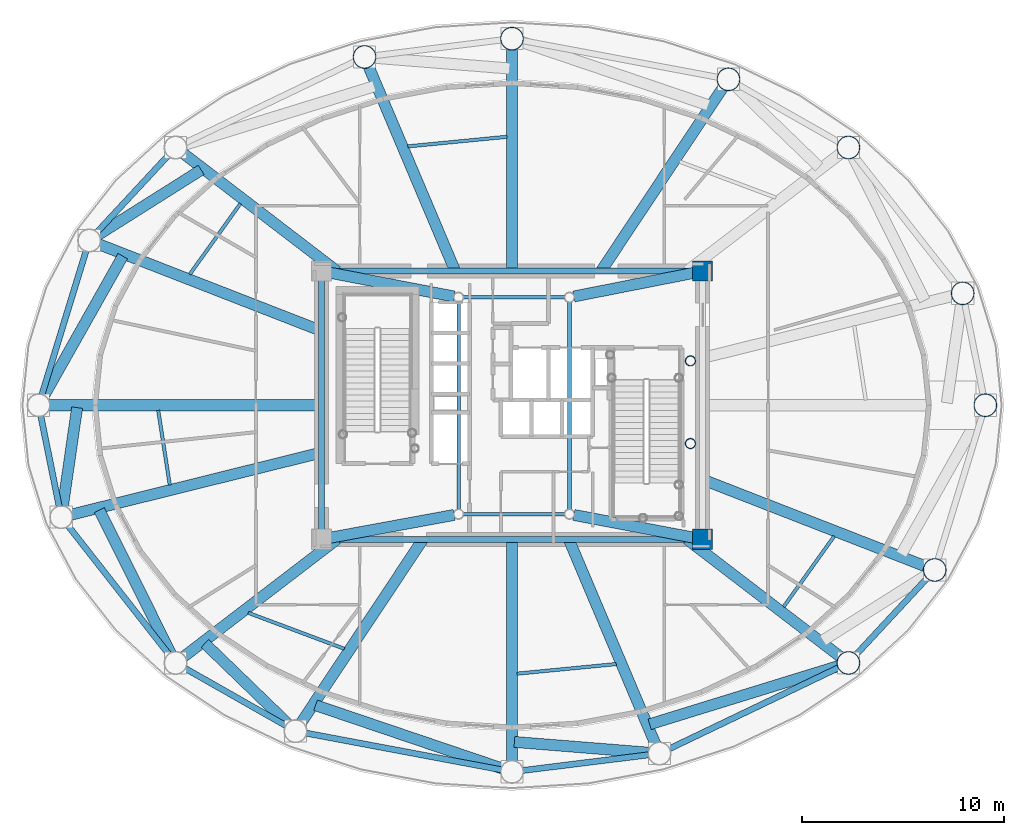
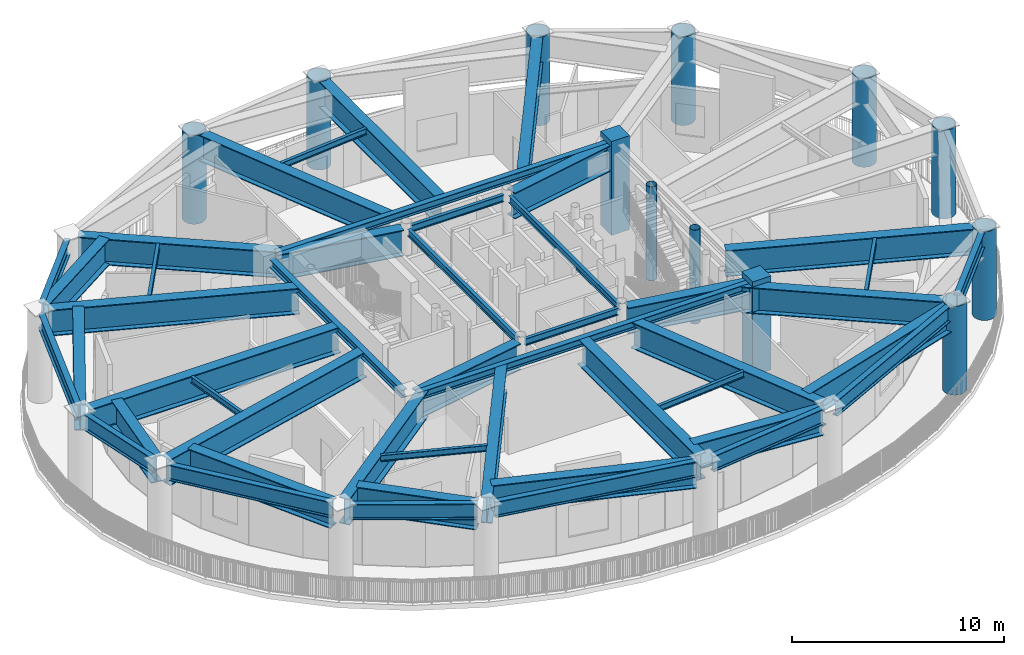
# One storey, part 2 of 14: 47 beams, 12 columns.
"""IFC4 building model written with IfcOpenShell, lengths in metres."""

from ifc_helpers import new_model, si_unit, direction, frame, origin, origin_2d, place, context, subcontext, project, spatial, rectangle, hollow_circle, i_section, extrude, material, material_profile, profile_set, type_object, element, save


model = new_model("IFC4")

# Units and contexts
model_context = context("Model", 3, precision=1e-05, world=origin(), true_north=direction((0.0, 1.0)))
body_context = subcontext(model_context, "Body", "Model", "MODEL_VIEW")
ifc_project = project(units=[si_unit("LENGTHUNIT", "METRE"), si_unit("AREAUNIT", "SQUARE_METRE"), si_unit("VOLUMEUNIT", "CUBIC_METRE"), si_unit("PLANEANGLEUNIT", "RADIAN"), si_unit("MASSUNIT", "GRAM", prefix="KILO")], contexts=[model_context])

# Site, building, storey
site_placement = place(None, origin())
site = spatial("IfcSite", under=ifc_project, at=site_placement, CompositionType="ELEMENT")
building_placement = place(site_placement, origin())
building = spatial("IfcBuilding", under=site, at=building_placement, Name="Linh Dai School and Residence Tower", CompositionType="ELEMENT")
storey_placement = place(building_placement, frame((0.0, 0.0, 262.800048828125)))
storey = spatial("IfcBuildingStorey", under=building, at=storey_placement, Name="L65", CompositionType="ELEMENT", Elevation=262.800048828125)

# Columns
ifc_material_1 = material(Name="Concrete B45 (C35/45)", Category="concrete")
ifc_material_profile_1 = material_profile(ifc_material_1, rectangle(XDim=1.0, YDim=1.0, at=origin_2d()), Name="RC 1000x1000")
ifc_profile_set_1 = profile_set([ifc_material_profile_1], Name="Concrete B45 (C35/45)")
column_type_1 = type_object("IfcColumnType", Name="COL-CC3", PredefinedType="COLUMN", material=ifc_profile_set_1)
for number, where, z_axis, x_axis, name in (
    (1, (45.449951171875, 20.35009765625, 0.0), (0.0, 0.0, 1.0), (1.0, 0.0, 0.0), "L65 Core Corner Pier CC2"),
    (2, (45.449951171875, 33.64990234375, 0.0), (0.0, 0.0, 1.0), (1.0, 0.0, 0.0), "L65 Core Corner Pier CC3"),
):
    element("IfcColumn", number, at=place(storey_placement, frame(where, z_axis=z_axis, x_axis=x_axis)), inside=storey, type_object=column_type_1, Name=name, PredefinedType="COLUMN", context=body_context, shape_type="SweptSolid", body=[
        extrude(rectangle(XDim=1.0, YDim=1.0, at=origin_2d()), origin(), (0.0, 0.0, 1.0), 5.39990234375),
    ])
ifc_material_2 = material(Name="Structural Steel S355JR", Category="steel")
ifc_material_profile_2 = material_profile(ifc_material_2, hollow_circle(Radius=0.574951171875, WallThickness=0.035888671875, at=origin_2d()), Name="CHS 1150x36")
ifc_profile_set_2 = profile_set([ifc_material_profile_2], Name="Structural Steel S355JR")
column_type_2 = type_object("IfcColumnType", Name="COL-MC5", PredefinedType="COLUMN", material=ifc_profile_set_2)
for number, where, z_axis, x_axis, name in (
    (3, (59.47509765625, 27.0, 0.0), (0.0, 0.0, 1.0), (1.0, 0.0, 0.0), "L65 Perimeter CFT Mega-Column MC01"),
    (4, (58.351318359375, 32.54931640625, 0.0), (0.0, 0.0, 1.0), (1.0, 0.0, 0.0), "L65 Perimeter CFT Mega-Column MC02"),
    (5, (52.68310546875, 39.781005859375, 0.0), (0.0, 0.0, 1.0), (1.0, 0.0, 0.0), "L65 Perimeter CFT Mega-Column MC03"),
    (6, (46.734619140625, 43.16357421875, 0.0), (0.0, 0.0, 1.0), (1.0, 0.0, 0.0), "L65 Perimeter CFT Mega-Column MC04"),
    (7, (36.0, 45.179931640625, 0.0), (0.0, 0.0, 1.0), (1.0, 0.0, 0.0), "L65 Perimeter CFT Mega-Column MC05"),
    (8, (28.68798828125, 44.2734375, 0.0), (0.0, 0.0, 1.0), (1.0, 0.0, 0.0), "L65 Perimeter CFT Mega-Column MC06"),
    (9, (52.68310546875, 14.218994140625, 0.0), (0.0, 0.0, 1.0), (1.0, 0.0, 0.0), "L65 Perimeter CFT Mega-Column MC15"),
    (10, (56.96533203125, 18.8310546875, 0.0), (0.0, 0.0, 1.0), (1.0, 0.0, 0.0), "L65 Perimeter CFT Mega-Column MC16"),
):
    element("IfcColumn", number, at=place(storey_placement, frame(where, z_axis=z_axis, x_axis=x_axis)), inside=storey, type_object=column_type_2, Name=name, PredefinedType="COLUMN", context=body_context, shape_type="SweptSolid", body=[
        extrude(hollow_circle(Radius=0.574951171875, WallThickness=0.035888671875, at=origin_2d()), origin(), (0.0, 0.0, 1.0), 5.099853515625),
    ])
ifc_material_profile_3 = material_profile(ifc_material_2, hollow_circle(Radius=0.25390625, WallThickness=0.02001953125, at=origin_2d()), Name="CHS 508x20")
ifc_profile_set_3 = profile_set([ifc_material_profile_3], Name="Structural Steel S355JR")
column_type_3 = type_object("IfcColumnType", Name="COL-MCP", PredefinedType="COLUMN", material=ifc_profile_set_3)
for number, where, z_axis, x_axis, name in (
    (11, (44.85009765625, 25.10009765625, 0.0), (0.0, 0.0, 1.0), (1.0, 0.0, 0.0), "L65 Sky-Lounge Core Anchor Pier S"),
    (12, (44.85009765625, 29.199951171875, 0.0), (0.0, 0.0, 1.0), (1.0, 0.0, 0.0), "L65 Sky-Lounge Core Anchor Pier N"),
):
    element("IfcColumn", number, at=place(storey_placement, frame(where, z_axis=z_axis, x_axis=x_axis)), inside=storey, type_object=column_type_3, Name=name, PredefinedType="COLUMN", context=body_context, shape_type="SweptSolid", body=[
        extrude(hollow_circle(Radius=0.25390625, WallThickness=0.02001953125, at=origin_2d()), origin(), (0.0, 0.0, 1.0), 5.39990234375),
    ])

# Beams
ifc_material_profile_4 = material_profile(ifc_material_2, i_section(OverallWidth=0.300048828125, OverallDepth=0.449951171875, WebThickness=0.013916015625, FlangeThickness=0.02587890625, FilletRadius=0.027099609375, at=origin_2d()), Name="HEB 450")
ifc_profile_set_4 = profile_set([ifc_material_profile_4], Name="Structural Steel S355JR")
beam_type_1 = type_object("IfcBeamType", Name="BM-RG45", PredefinedType="BEAM", material=ifc_profile_set_4)
for number, where, z_axis, x_axis, name in (
    (13, (26.969970703125, 20.35009765625, 4.875), (1.0, 0.0, 0.0), (0.0, 1.0, 0.0), "L65 Core Perimeter Coupling Girder 1"),
    (14, (45.030029296875, 33.64990234375, 4.875), (-1.0, 0.0, 0.0), (0.0, -1.0, 0.0), "L65 Core Perimeter Coupling Girder 3"),
):
    element("IfcBeam", number, at=place(storey_placement, frame(where, z_axis=z_axis, x_axis=x_axis)), inside=storey, type_object=beam_type_1, Name=name, PredefinedType="BEAM", context=body_context, shape_type="SweptSolid", body=[
        extrude(i_section(OverallWidth=0.300048828125, OverallDepth=0.449951171875, WebThickness=0.013916015625, FlangeThickness=0.02587890625, FilletRadius=0.027099609375, at=origin_2d()), origin(), (0.0, 0.0, 1.0), 18.06005859375),
    ])
beam_1_placement = place(storey_placement, frame((26.550048828125, 33.22998046875, 4.875), z_axis=(0.0, -1.0, 0.0), x_axis=(1.0, 0.0, 0.0)))
element("IfcBeam", 15, at=beam_1_placement, inside=storey, type_object=beam_type_1, Name="L65 Core Perimeter Coupling Girder 4", PredefinedType="BEAM", context=body_context, shape_type="SweptSolid", body=[
    extrude(i_section(OverallWidth=0.300048828125, OverallDepth=0.449951171875, WebThickness=0.013916015625, FlangeThickness=0.02587890625, FilletRadius=0.027099609375, at=origin_2d()), origin(), (0.0, 0.0, 1.0), 12.4599609375),
])
ifc_material_profile_5 = material_profile(ifc_material_2, i_section(OverallWidth=0.300048828125, OverallDepth=0.89990234375, WebThickness=0.0185546875, FlangeThickness=0.034912109375, FilletRadius=0.030029296875, at=origin_2d()), Name="HEB 900")
ifc_profile_set_5 = profile_set([ifc_material_profile_5], Name="Structural Steel S355JR")
beam_type_2 = type_object("IfcBeamType", Name="BM-RG9", PredefinedType="BEAM", material=ifc_profile_set_5)
beam_2_placement = place(storey_placement, frame((19.031005859375, 39.47314453125, 4.64990234375), z_axis=(-0.68040816846, -0.732833353699, 0.0), x_axis=(0.732833353699, -0.68040816846, 0.0)))
element("IfcBeam", 16, at=beam_2_placement, inside=storey, type_object=beam_type_2, Name="L65 Perimeter Elliptical Ring Beam 07", PredefinedType="BEAM", context=body_context, shape_type="SweptSolid", body=[
    extrude(i_section(OverallWidth=0.300048828125, OverallDepth=0.89990234375, WebThickness=0.0185546875, FlangeThickness=0.034912109375, FilletRadius=0.030029296875, at=origin_2d()), origin(), (0.0, 0.0, 1.0), 5.453369140625),
])
beam_3_placement = place(storey_placement, frame((14.911376953125, 34.767578125, 4.64990234375), z_axis=(-0.293660595717, -0.95590975229, 0.0), x_axis=(0.95590975229, -0.293660595717, 0.0)))
element("IfcBeam", 17, at=beam_3_placement, inside=storey, type_object=beam_type_2, Name="L65 Perimeter Elliptical Ring Beam 08", PredefinedType="BEAM", context=body_context, shape_type="SweptSolid", body=[
    extrude(i_section(OverallWidth=0.300048828125, OverallDepth=0.89990234375, WebThickness=0.0185546875, FlangeThickness=0.034912109375, FilletRadius=0.030029296875, at=origin_2d()), origin(), (0.0, 0.0, 1.0), 7.7060546875),
])
beam_4_placement = place(storey_placement, frame((12.6083984375, 26.58837890625, 4.64990234375), z_axis=(0.198423200906, -0.980116438666, 0.0), x_axis=(0.980116438666, 0.198423200906, 0.0)))
element("IfcBeam", 18, at=beam_4_placement, inside=storey, type_object=beam_type_2, Name="L65 Perimeter Elliptical Ring Beam 09", PredefinedType="BEAM", context=body_context, shape_type="SweptSolid", body=[
    extrude(i_section(OverallWidth=0.300048828125, OverallDepth=0.89990234375, WebThickness=0.0185546875, FlangeThickness=0.034912109375, FilletRadius=0.030029296875, at=origin_2d()), origin(), (0.0, 0.0, 1.0), 4.822021484375),
])
beam_5_placement = place(storey_placement, frame((13.90771484375, 21.1201171875, 4.64990234375), z_axis=(0.616900268003, -0.787041332674, 0.0), x_axis=(0.787041332674, 0.616900268003, 0.0)))
element("IfcBeam", 19, at=beam_5_placement, inside=storey, type_object=beam_type_2, Name="L65 Perimeter Elliptical Ring Beam 10", PredefinedType="BEAM", context=body_context, shape_type="SweptSolid", body=[
    extrude(i_section(OverallWidth=0.300048828125, OverallDepth=0.89990234375, WebThickness=0.0185546875, FlangeThickness=0.034912109375, FilletRadius=0.030029296875, at=origin_2d()), origin(), (0.0, 0.0, 1.0), 8.348388671875),
])
beam_6_placement = place(storey_placement, frame((19.681884765625, 14.011474609375, 4.64990234375), z_axis=(0.869297314463, -0.494289570058, 0.0), x_axis=(0.494289570058, 0.869297314463, 0.0)))
element("IfcBeam", 20, at=beam_6_placement, inside=storey, type_object=beam_type_2, Name="L65 Perimeter Elliptical Ring Beam 11", PredefinedType="BEAM", context=body_context, shape_type="SweptSolid", body=[
    extrude(i_section(OverallWidth=0.300048828125, OverallDepth=0.89990234375, WebThickness=0.0185546875, FlangeThickness=0.034912109375, FilletRadius=0.030029296875, at=origin_2d()), origin(), (0.0, 0.0, 1.0), 6.003173828125),
])
beam_7_placement = place(storey_placement, frame((25.67822265625, 10.759033203125, 4.64990234375), z_axis=(0.982806607762, -0.184637947722, 0.0), x_axis=(0.184637947722, 0.982806607762, 0.0)))
element("IfcBeam", 21, at=beam_7_placement, inside=storey, type_object=beam_type_2, Name="L65 Perimeter Elliptical Ring Beam 12", PredefinedType="BEAM", context=body_context, shape_type="SweptSolid", body=[
    extrude(i_section(OverallWidth=0.300048828125, OverallDepth=0.89990234375, WebThickness=0.0185546875, FlangeThickness=0.034912109375, FilletRadius=0.030029296875, at=origin_2d()), origin(), (0.0, 0.0, 1.0), 10.082275390625),
])
beam_8_placement = place(storey_placement, frame((36.416748046875, 8.87158203125, 4.64990234375), z_axis=(0.992401656104, 0.123040452539, 0.0), x_axis=(-0.123040452539, 0.992401656104, 0.0)))
element("IfcBeam", 22, at=beam_8_placement, inside=storey, type_object=beam_type_2, Name="L65 Perimeter Elliptical Ring Beam 13", PredefinedType="BEAM", context=body_context, shape_type="SweptSolid", body=[
    extrude(i_section(OverallWidth=0.300048828125, OverallDepth=0.89990234375, WebThickness=0.0185546875, FlangeThickness=0.034912109375, FilletRadius=0.030029296875, at=origin_2d()), origin(), (0.0, 0.0, 1.0), 6.528076171875),
])
beam_9_placement = place(storey_placement, frame((43.690673828125, 9.907958984375, 4.64990234375), z_axis=(0.901735920201, 0.432287323686, 0.0), x_axis=(-0.432287323686, 0.901735920201, 0.0)))
element("IfcBeam", 23, at=beam_9_placement, inside=storey, type_object=beam_type_2, Name="L65 Perimeter Elliptical Ring Beam 14", PredefinedType="BEAM", context=body_context, shape_type="SweptSolid", body=[
    extrude(i_section(OverallWidth=0.300048828125, OverallDepth=0.89990234375, WebThickness=0.0185546875, FlangeThickness=0.034912109375, FilletRadius=0.030029296875, at=origin_2d()), origin(), (0.0, 0.0, 1.0), 9.552490234375),
])
beam_10_placement = place(storey_placement, frame((52.968994140625, 14.52685546875, 4.64990234375), z_axis=(0.68040816846, 0.732833353699, 0.0), x_axis=(-0.732833353699, 0.68040816846, 0.0)))
element("IfcBeam", 24, at=beam_10_placement, inside=storey, type_object=beam_type_2, Name="L65 Perimeter Elliptical Ring Beam 15", PredefinedType="BEAM", context=body_context, shape_type="SweptSolid", body=[
    extrude(i_section(OverallWidth=0.300048828125, OverallDepth=0.89990234375, WebThickness=0.0185546875, FlangeThickness=0.034912109375, FilletRadius=0.030029296875, at=origin_2d()), origin(), (0.0, 0.0, 1.0), 5.453369140625),
])
ifc_material_profile_6 = material_profile(ifc_material_2, i_section(OverallWidth=0.169921875, OverallDepth=0.360107421875, WebThickness=0.008056640625, FlangeThickness=0.0126953125, FilletRadius=0.01806640625, at=origin_2d()), Name="IPE 360")
ifc_profile_set_6 = profile_set([ifc_material_profile_6], Name="Structural Steel S355JR")
beam_type_3 = type_object("IfcBeamType", Name="BM-SB36", PredefinedType="BEAM", material=ifc_profile_set_6)
beam_11_placement = place(storey_placement, frame((35.74609375, 40.312744140625, 4.919921875), z_axis=(-0.995333180141, -0.096497981903, 0.0), x_axis=(0.096497981903, -0.995333180141, 0.0)))
element("IfcBeam", 25, at=beam_11_placement, inside=storey, type_object=beam_type_3, Name="L65 Secondary Circumferential Floor Beam 03", PredefinedType="BEAM", context=body_context, shape_type="SweptSolid", body=[
    extrude(i_section(OverallWidth=0.169921875, OverallDepth=0.360107421875, WebThickness=0.008056640625, FlangeThickness=0.0126953125, FilletRadius=0.01806640625, at=origin_2d()), origin(), (0.0, 0.0, 1.0), 4.9384765625),
])
beam_12_placement = place(storey_placement, frame((22.529541015625, 36.99853515625, 4.919921875), z_axis=(-0.58205192515, -0.813151619582, 0.0), x_axis=(0.813151619582, -0.58205192515, 0.0)))
element("IfcBeam", 26, at=beam_12_placement, inside=storey, type_object=beam_type_3, Name="L65 Secondary Circumferential Floor Beam 04", PredefinedType="BEAM", context=body_context, shape_type="SweptSolid", body=[
    extrude(i_section(OverallWidth=0.169921875, OverallDepth=0.360107421875, WebThickness=0.008056640625, FlangeThickness=0.0126953125, FilletRadius=0.01806640625, at=origin_2d()), origin(), (0.0, 0.0, 1.0), 4.312255859375),
])
beam_13_placement = place(storey_placement, frame((18.45458984375, 26.748046875, 4.919921875), z_axis=(0.153169362504, -0.988199952636, 0.0), x_axis=(0.988199952636, 0.153169362504, 0.0)))
element("IfcBeam", 27, at=beam_13_placement, inside=storey, type_object=beam_type_3, Name="L65 Secondary Circumferential Floor Beam 05", PredefinedType="BEAM", context=body_context, shape_type="SweptSolid", body=[
    extrude(i_section(OverallWidth=0.169921875, OverallDepth=0.360107421875, WebThickness=0.008056640625, FlangeThickness=0.0126953125, FilletRadius=0.01806640625, at=origin_2d()), origin(), (0.0, 0.0, 1.0), 3.744140625),
])
beam_14_placement = place(storey_placement, frame((22.916748046875, 16.70458984375, 4.919921875), z_axis=(0.936544019385, -0.350549996083, 0.0), x_axis=(0.350549996083, 0.936544019385, 0.0)))
element("IfcBeam", 28, at=beam_14_placement, inside=storey, type_object=beam_type_3, Name="L65 Secondary Circumferential Floor Beam 06", PredefinedType="BEAM", context=body_context, shape_type="SweptSolid", body=[
    extrude(i_section(OverallWidth=0.169921875, OverallDepth=0.360107421875, WebThickness=0.008056640625, FlangeThickness=0.0126953125, FilletRadius=0.01806640625, at=origin_2d()), origin(), (0.0, 0.0, 1.0), 5.086181640625),
])
beam_15_placement = place(storey_placement, frame((36.25390625, 13.687255859375, 4.919921875), z_axis=(0.995333180141, 0.096497981903, 0.0), x_axis=(-0.096497981903, 0.995333180141, 0.0)))
element("IfcBeam", 29, at=beam_15_placement, inside=storey, type_object=beam_type_3, Name="L65 Secondary Circumferential Floor Beam 07", PredefinedType="BEAM", context=body_context, shape_type="SweptSolid", body=[
    extrude(i_section(OverallWidth=0.169921875, OverallDepth=0.360107421875, WebThickness=0.008056640625, FlangeThickness=0.0126953125, FilletRadius=0.01806640625, at=origin_2d()), origin(), (0.0, 0.0, 1.0), 4.9384765625),
])
beam_16_placement = place(storey_placement, frame((49.470458984375, 17.00146484375, 4.919921875), z_axis=(0.58205192515, 0.813151619582, 0.0), x_axis=(-0.813151619582, 0.58205192515, 0.0)))
element("IfcBeam", 30, at=beam_16_placement, inside=storey, type_object=beam_type_3, Name="L65 Secondary Circumferential Floor Beam 08", PredefinedType="BEAM", context=body_context, shape_type="SweptSolid", body=[
    extrude(i_section(OverallWidth=0.169921875, OverallDepth=0.360107421875, WebThickness=0.008056640625, FlangeThickness=0.0126953125, FilletRadius=0.01806640625, at=origin_2d()), origin(), (0.0, 0.0, 1.0), 4.312255859375),
])
ifc_material_profile_7 = material_profile(ifc_material_2, i_section(OverallWidth=0.179931640625, OverallDepth=0.39990234375, WebThickness=0.008544921875, FlangeThickness=0.013427734375, FilletRadius=0.02099609375, at=origin_2d()), Name="IPE 400")
ifc_profile_set_7 = profile_set([ifc_material_profile_7], Name="Structural Steel S355JR")
beam_type_4 = type_object("IfcBeamType", Name="BM-SB40", PredefinedType="BEAM", material=ifc_profile_set_7)
beam_17_placement = place(storey_placement, frame((33.573974609375, 21.60009765625, 4.89990234375), z_axis=(1.0, 0.0, 0.0), x_axis=(0.0, 1.0, 0.0)))
element("IfcBeam", 31, at=beam_17_placement, inside=storey, type_object=beam_type_4, Name="L65 Core Mast Pier Tie Beam 1", PredefinedType="BEAM", context=body_context, shape_type="SweptSolid", body=[
    extrude(i_section(OverallWidth=0.179931640625, OverallDepth=0.39990234375, WebThickness=0.008544921875, FlangeThickness=0.013427734375, FilletRadius=0.02099609375, at=origin_2d()), origin(), (0.0, 0.0, 1.0), 5.052001953125),
])
beam_18_placement = place(storey_placement, frame((38.85009765625, 21.823974609375, 4.89990234375), z_axis=(0.0, 1.0, 0.0), x_axis=(-1.0, 0.0, 0.0)))
element("IfcBeam", 32, at=beam_18_placement, inside=storey, type_object=beam_type_4, Name="L65 Core Mast Pier Tie Beam 2", PredefinedType="BEAM", context=body_context, shape_type="SweptSolid", body=[
    extrude(i_section(OverallWidth=0.179931640625, OverallDepth=0.39990234375, WebThickness=0.008544921875, FlangeThickness=0.013427734375, FilletRadius=0.02099609375, at=origin_2d()), origin(), (0.0, 0.0, 1.0), 10.302001953125),
])
beam_19_placement = place(storey_placement, frame((38.6259765625, 32.35009765625, 4.89990234375), z_axis=(-1.0, 0.0, 0.0), x_axis=(0.0, -1.0, 0.0)))
element("IfcBeam", 33, at=beam_19_placement, inside=storey, type_object=beam_type_4, Name="L65 Core Mast Pier Tie Beam 3", PredefinedType="BEAM", context=body_context, shape_type="SweptSolid", body=[
    extrude(i_section(OverallWidth=0.179931640625, OverallDepth=0.39990234375, WebThickness=0.008544921875, FlangeThickness=0.013427734375, FilletRadius=0.02099609375, at=origin_2d()), origin(), (0.0, 0.0, 1.0), 5.052001953125),
])
beam_20_placement = place(storey_placement, frame((33.35009765625, 32.1259765625, 4.89990234375), z_axis=(0.0, -1.0, 0.0), x_axis=(1.0, 0.0, 0.0)))
element("IfcBeam", 34, at=beam_20_placement, inside=storey, type_object=beam_type_4, Name="L65 Core Mast Pier Tie Beam 4", PredefinedType="BEAM", context=body_context, shape_type="SweptSolid", body=[
    extrude(i_section(OverallWidth=0.179931640625, OverallDepth=0.39990234375, WebThickness=0.008544921875, FlangeThickness=0.013427734375, FilletRadius=0.02099609375, at=origin_2d()), origin(), (0.0, 0.0, 1.0), 10.302001953125),
])
ifc_material_profile_8 = material_profile(ifc_material_2, i_section(OverallWidth=0.550048828125, OverallDepth=1.5, WebThickness=0.028076171875, FlangeThickness=0.050048828125, at=origin_2d()), Name="PG 1500x550x28x50")
ifc_profile_set_8 = profile_set([ifc_material_profile_8], Name="Structural Steel S355JR")
beam_type_5 = type_object("IfcBeamType", Name="BM-TG15", PredefinedType="BEAM", material=ifc_profile_set_8)
beam_21_placement = place(storey_placement, frame((40.41650390625, 33.64990234375, 4.349853515625), z_axis=(0.553219177991, 0.833035738191, 0.0), x_axis=(-0.833035738191, 0.553219177991, 0.0)))
element("IfcBeam", 35, at=beam_21_placement, inside=storey, type_object=beam_type_5, Name="L65 Radial Setback Transfer Girder 04", PredefinedType="BEAM", context=body_context, shape_type="SweptSolid", body=[
    extrude(i_section(OverallWidth=0.550048828125, OverallDepth=1.5, WebThickness=0.028076171875, FlangeThickness=0.050048828125, at=origin_2d()), origin(), (0.0, 0.0, 1.0), 11.00048828125),
])
beam_22_placement = place(storey_placement, frame((36.0, 33.64990234375, 4.349853515625), z_axis=(0.0, 1.0, 0.0), x_axis=(-1.0, 0.0, 0.0)))
element("IfcBeam", 36, at=beam_22_placement, inside=storey, type_object=beam_type_5, Name="L65 Radial Setback Transfer Girder 05", PredefinedType="BEAM", context=body_context, shape_type="SweptSolid", body=[
    extrude(i_section(OverallWidth=0.550048828125, OverallDepth=1.5, WebThickness=0.028076171875, FlangeThickness=0.050048828125, at=origin_2d()), origin(), (0.0, 0.0, 1.0), 11.110107421875),
])
beam_23_placement = place(storey_placement, frame((33.18505859375, 33.64990234375, 4.349853515625), z_axis=(-0.389814803082, 0.920893272479, 0.0), x_axis=(-0.920893272479, -0.389814803082, 0.0)))
element("IfcBeam", 37, at=beam_23_placement, inside=storey, type_object=beam_type_5, Name="L65 Radial Setback Transfer Girder 06", PredefinedType="BEAM", context=body_context, shape_type="SweptSolid", body=[
    extrude(i_section(OverallWidth=0.550048828125, OverallDepth=1.5, WebThickness=0.028076171875, FlangeThickness=0.050048828125, at=origin_2d()), origin(), (0.0, 0.0, 1.0), 11.1162109375),
])
beam_24_placement = place(storey_placement, frame((27.319580078125, 33.64990234375, 4.349853515625), z_axis=(-0.793814553483, 0.608159892363, 0.0), x_axis=(-0.608159892363, -0.793814553483, 0.0)))
element("IfcBeam", 38, at=beam_24_placement, inside=storey, type_object=beam_type_5, Name="L65 Radial Setback Transfer Girder 07", PredefinedType="BEAM", context=body_context, shape_type="SweptSolid", body=[
    extrude(i_section(OverallWidth=0.550048828125, OverallDepth=1.5, WebThickness=0.028076171875, FlangeThickness=0.050048828125, at=origin_2d()), origin(), (0.0, 0.0, 1.0), 9.661376953125),
])
beam_25_placement = place(storey_placement, frame((20.583251953125, 38.66943359375, 4.349853515625), z_axis=(-0.845757111662, -0.533568091318, 0.0), x_axis=(0.533568091318, -0.845757111662, 0.0)))
element("IfcBeam", 39, at=beam_25_placement, inside=storey, type_object=beam_type_5, Name="L65 Setback Diaphragm Transfer Girder 07", PredefinedType="BEAM", context=body_context, shape_type="SweptSolid", body=[
    extrude(i_section(OverallWidth=0.550048828125, OverallDepth=1.5, WebThickness=0.028076171875, FlangeThickness=0.050048828125, at=origin_2d()), origin(), (0.0, 0.0, 1.0), 6.140380859375),
])
beam_26_placement = place(storey_placement, frame((26.550048828125, 30.68212890625, 4.349853515625), z_axis=(-0.931764994123, 0.363061972295, 0.0), x_axis=(-0.363061972295, -0.931764994123, 0.0)))
element("IfcBeam", 40, at=beam_26_placement, inside=storey, type_object=beam_type_5, Name="L65 Radial Setback Transfer Girder 08", PredefinedType="BEAM", context=body_context, shape_type="SweptSolid", body=[
    extrude(i_section(OverallWidth=0.550048828125, OverallDepth=1.5, WebThickness=0.028076171875, FlangeThickness=0.050048828125, at=origin_2d()), origin(), (0.0, 0.0, 1.0), 11.938720703125),
])
beam_27_placement = place(storey_placement, frame((16.695068359375, 34.394775390625, 4.349853515625), z_axis=(-0.491204662969, -0.871044188935, 0.0), x_axis=(0.871044188935, -0.491204662969, 0.0)))
element("IfcBeam", 41, at=beam_27_placement, inside=storey, type_object=beam_type_5, Name="L65 Setback Diaphragm Transfer Girder 08", PredefinedType="BEAM", context=body_context, shape_type="SweptSolid", body=[
    extrude(i_section(OverallWidth=0.550048828125, OverallDepth=1.5, WebThickness=0.028076171875, FlangeThickness=0.050048828125, at=origin_2d()), origin(), (0.0, 0.0, 1.0), 8.069580078125),
])
beam_28_placement = place(storey_placement, frame((26.550048828125, 27.0, 4.349853515625), z_axis=(-1.0, 0.0, 0.0), x_axis=(0.0, -1.0, 0.0)))
element("IfcBeam", 42, at=beam_28_placement, inside=storey, type_object=beam_type_5, Name="L65 Radial Setback Transfer Girder 09", PredefinedType="BEAM", context=body_context, shape_type="SweptSolid", body=[
    extrude(i_section(OverallWidth=0.550048828125, OverallDepth=1.5, WebThickness=0.028076171875, FlangeThickness=0.050048828125, at=origin_2d()), origin(), (0.0, 0.0, 1.0), 13.60498046875),
])
beam_29_placement = place(storey_placement, frame((14.432861328125, 26.88134765625, 4.349853515625), z_axis=(-0.142959189378, -0.989728584094, 0.0), x_axis=(0.989728584094, -0.142959189378, 0.0)))
element("IfcBeam", 43, at=beam_29_placement, inside=storey, type_object=beam_type_5, Name="L65 Setback Diaphragm Transfer Girder 09", PredefinedType="BEAM", context=body_context, shape_type="SweptSolid", body=[
    extrude(i_section(OverallWidth=0.550048828125, OverallDepth=1.5, WebThickness=0.028076171875, FlangeThickness=0.050048828125, at=origin_2d()), origin(), (0.0, 0.0, 1.0), 5.06689453125),
])
beam_30_placement = place(storey_placement, frame((26.550048828125, 24.65380859375, 4.349853515625), z_axis=(-0.970537241974, -0.240951160904, 0.0), x_axis=(0.240951160904, -0.970537241974, 0.0)))
element("IfcBeam", 44, at=beam_30_placement, inside=storey, type_object=beam_type_5, Name="L65 Radial Setback Transfer Girder 10", PredefinedType="BEAM", context=body_context, shape_type="SweptSolid", body=[
    extrude(i_section(OverallWidth=0.550048828125, OverallDepth=1.5, WebThickness=0.028076171875, FlangeThickness=0.050048828125, at=origin_2d()), origin(), (0.0, 0.0, 1.0), 12.873291015625),
])
beam_31_placement = place(storey_placement, frame((15.534912109375, 21.79833984375, 4.349853515625), z_axis=(0.44648563007, -0.894790803563, 0.0), x_axis=(0.894790803563, 0.44648563007, 0.0)))
element("IfcBeam", 45, at=beam_31_placement, inside=storey, type_object=beam_type_5, Name="L65 Setback Diaphragm Transfer Girder 10", PredefinedType="BEAM", context=body_context, shape_type="SweptSolid", body=[
    extrude(i_section(OverallWidth=0.550048828125, OverallDepth=1.5, WebThickness=0.028076171875, FlangeThickness=0.050048828125, at=origin_2d()), origin(), (0.0, 0.0, 1.0), 8.050537109375),
])
beam_32_placement = place(storey_placement, frame((27.319580078125, 20.35009765625, 4.349853515625), z_axis=(-0.793814553483, -0.608159892363, 0.0), x_axis=(0.608159892363, -0.793814553483, 0.0)))
element("IfcBeam", 46, at=beam_32_placement, inside=storey, type_object=beam_type_5, Name="L65 Radial Setback Transfer Girder 11", PredefinedType="BEAM", context=body_context, shape_type="SweptSolid", body=[
    extrude(i_section(OverallWidth=0.550048828125, OverallDepth=1.5, WebThickness=0.028076171875, FlangeThickness=0.050048828125, at=origin_2d()), origin(), (0.0, 0.0, 1.0), 9.661376953125),
])
beam_33_placement = place(storey_placement, frame((20.77099609375, 15.18310546875, 4.349853515625), z_axis=(0.718812643835, -0.695203842814, 0.0), x_axis=(0.695203842814, 0.718812643835, 0.0)))
element("IfcBeam", 47, at=beam_33_placement, inside=storey, type_object=beam_type_5, Name="L65 Setback Diaphragm Transfer Girder 11", PredefinedType="BEAM", context=body_context, shape_type="SweptSolid", body=[
    extrude(i_section(OverallWidth=0.550048828125, OverallDepth=1.5, WebThickness=0.028076171875, FlangeThickness=0.050048828125, at=origin_2d()), origin(), (0.0, 0.0, 1.0), 5.832275390625),
])
beam_34_placement = place(storey_placement, frame((31.58349609375, 20.35009765625, 4.349853515625), z_axis=(-0.553219177991, -0.833035738191, 0.0), x_axis=(0.833035738191, -0.553219177991, 0.0)))
element("IfcBeam", 48, at=beam_34_placement, inside=storey, type_object=beam_type_5, Name="L65 Radial Setback Transfer Girder 12", PredefinedType="BEAM", context=body_context, shape_type="SweptSolid", body=[
    extrude(i_section(OverallWidth=0.550048828125, OverallDepth=1.5, WebThickness=0.028076171875, FlangeThickness=0.050048828125, at=origin_2d()), origin(), (0.0, 0.0, 1.0), 11.00048828125),
])
beam_35_placement = place(storey_placement, frame((26.25927734375, 12.122802734375, 4.349853515625), z_axis=(0.947039860477, -0.321116026799, 0.0), x_axis=(0.321116026799, 0.947039860477, 0.0)))
element("IfcBeam", 49, at=beam_35_placement, inside=storey, type_object=beam_type_5, Name="L65 Setback Diaphragm Transfer Girder 12", PredefinedType="BEAM", context=body_context, shape_type="SweptSolid", body=[
    extrude(i_section(OverallWidth=0.550048828125, OverallDepth=1.5, WebThickness=0.028076171875, FlangeThickness=0.050048828125, at=origin_2d()), origin(), (0.0, 0.0, 1.0), 9.865478515625),
])
beam_36_placement = place(storey_placement, frame((36.0, 20.35009765625, 4.349853515625), z_axis=(0.0, -1.0, 0.0), x_axis=(1.0, 0.0, 0.0)))
element("IfcBeam", 50, at=beam_36_placement, inside=storey, type_object=beam_type_5, Name="L65 Radial Setback Transfer Girder 13", PredefinedType="BEAM", context=body_context, shape_type="SweptSolid", body=[
    extrude(i_section(OverallWidth=0.550048828125, OverallDepth=1.5, WebThickness=0.028076171875, FlangeThickness=0.050048828125, at=origin_2d()), origin(), (0.0, 0.0, 1.0), 11.110107421875),
])
beam_37_placement = place(storey_placement, frame((36.11962890625, 10.300537109375, 4.349853515625), z_axis=(0.996831252017, -0.079545301567, 0.0), x_axis=(0.079545301567, 0.996831252017, 0.0)))
element("IfcBeam", 51, at=beam_37_placement, inside=storey, type_object=beam_type_5, Name="L65 Setback Diaphragm Transfer Girder 13", PredefinedType="BEAM", context=body_context, shape_type="SweptSolid", body=[
    extrude(i_section(OverallWidth=0.550048828125, OverallDepth=1.5, WebThickness=0.028076171875, FlangeThickness=0.050048828125, at=origin_2d()), origin(), (0.0, 0.0, 1.0), 6.795166015625),
])
beam_38_placement = place(storey_placement, frame((38.81494140625, 20.35009765625, 4.349853515625), z_axis=(0.389814803082, -0.920893272479, 0.0), x_axis=(0.920893272479, 0.389814803082, 0.0)))
element("IfcBeam", 52, at=beam_38_placement, inside=storey, type_object=beam_type_5, Name="L65 Radial Setback Transfer Girder 14", PredefinedType="BEAM", context=body_context, shape_type="SweptSolid", body=[
    extrude(i_section(OverallWidth=0.550048828125, OverallDepth=1.5, WebThickness=0.028076171875, FlangeThickness=0.050048828125, at=origin_2d()), origin(), (0.0, 0.0, 1.0), 11.1162109375),
])
beam_39_placement = place(storey_placement, frame((42.8271484375, 11.177490234375, 4.349853515625), z_axis=(0.955533802435, 0.294881590479, 0.0), x_axis=(-0.294881590479, 0.955533802435, 0.0)))
element("IfcBeam", 53, at=beam_39_placement, inside=storey, type_object=beam_type_5, Name="L65 Setback Diaphragm Transfer Girder 14", PredefinedType="BEAM", context=body_context, shape_type="SweptSolid", body=[
    extrude(i_section(OverallWidth=0.550048828125, OverallDepth=1.5, WebThickness=0.028076171875, FlangeThickness=0.050048828125, at=origin_2d()), origin(), (0.0, 0.0, 1.0), 9.89453125),
])
beam_40_placement = place(storey_placement, frame((44.680419921875, 20.35009765625, 4.349853515625), z_axis=(0.793814553483, -0.608159892363, 0.0), x_axis=(0.608159892363, 0.793814553483, 0.0)))
element("IfcBeam", 54, at=beam_40_placement, inside=storey, type_object=beam_type_5, Name="L65 Radial Setback Transfer Girder 15", PredefinedType="BEAM", context=body_context, shape_type="SweptSolid", body=[
    extrude(i_section(OverallWidth=0.550048828125, OverallDepth=1.5, WebThickness=0.028076171875, FlangeThickness=0.050048828125, at=origin_2d()), origin(), (0.0, 0.0, 1.0), 9.661376953125),
])
beam_41_placement = place(storey_placement, frame((45.449951171875, 23.31787109375, 4.349853515625), z_axis=(0.931764994123, -0.363061972295, 0.0), x_axis=(0.363061972295, 0.931764994123, 0.0)))
element("IfcBeam", 55, at=beam_41_placement, inside=storey, type_object=beam_type_5, Name="L65 Radial Setback Transfer Girder 16", PredefinedType="BEAM", context=body_context, shape_type="SweptSolid", body=[
    extrude(i_section(OverallWidth=0.550048828125, OverallDepth=1.5, WebThickness=0.028076171875, FlangeThickness=0.050048828125, at=origin_2d()), origin(), (0.0, 0.0, 1.0), 11.938720703125),
])
beam_42_placement = place(storey_placement, frame((33.129638671875, 21.5595703125, 4.349853515625), z_axis=(-0.983521034508, -0.180793735182, 0.0), x_axis=(0.180793735182, -0.983521034508, 0.0)))
element("IfcBeam", 56, at=beam_42_placement, inside=storey, type_object=beam_type_5, Name="L65 Core Step-In Diagonal Transfer Girder 1", PredefinedType="BEAM", context=body_context, shape_type="SweptSolid", body=[
    extrude(i_section(OverallWidth=0.550048828125, OverallDepth=1.5, WebThickness=0.028076171875, FlangeThickness=0.050048828125, at=origin_2d()), origin(), (0.0, 0.0, 1.0), 6.269775390625),
])
beam_43_placement = place(storey_placement, frame((39.070068359375, 21.558349609375, 4.349853515625), z_axis=(0.982534706692, -0.186079418921, 0.0), x_axis=(0.186079418921, 0.982534706692, 0.0)))
element("IfcBeam", 57, at=beam_43_placement, inside=storey, type_object=beam_type_5, Name="L65 Core Step-In Diagonal Transfer Girder 2", PredefinedType="BEAM", context=body_context, shape_type="SweptSolid", body=[
    extrude(i_section(OverallWidth=0.550048828125, OverallDepth=1.5, WebThickness=0.028076171875, FlangeThickness=0.050048828125, at=origin_2d()), origin(), (0.0, 0.0, 1.0), 6.0732421875),
])
beam_44_placement = place(storey_placement, frame((39.06982421875, 32.393310546875, 4.349853515625), z_axis=(0.981147696489, 0.193259405138, 0.0), x_axis=(-0.193259405138, 0.981147696489, 0.0)))
element("IfcBeam", 58, at=beam_44_placement, inside=storey, type_object=beam_type_5, Name="L65 Core Step-In Diagonal Transfer Girder 3", PredefinedType="BEAM", context=body_context, shape_type="SweptSolid", body=[
    extrude(i_section(OverallWidth=0.550048828125, OverallDepth=1.5, WebThickness=0.028076171875, FlangeThickness=0.050048828125, at=origin_2d()), origin(), (0.0, 0.0, 1.0), 6.082763671875),
])
beam_45_placement = place(storey_placement, frame((33.1298828125, 32.39208984375, 4.349853515625), z_axis=(-0.982214129725, 0.187764222812, 0.0), x_axis=(-0.187764222812, -0.982214129725, 0.0)))
element("IfcBeam", 59, at=beam_45_placement, inside=storey, type_object=beam_type_5, Name="L65 Core Step-In Diagonal Transfer Girder 4", PredefinedType="BEAM", context=body_context, shape_type="SweptSolid", body=[
    extrude(i_section(OverallWidth=0.550048828125, OverallDepth=1.5, WebThickness=0.028076171875, FlangeThickness=0.050048828125, at=origin_2d()), origin(), (0.0, 0.0, 1.0), 6.27880859375),
])

save(model, "model.ifc")
